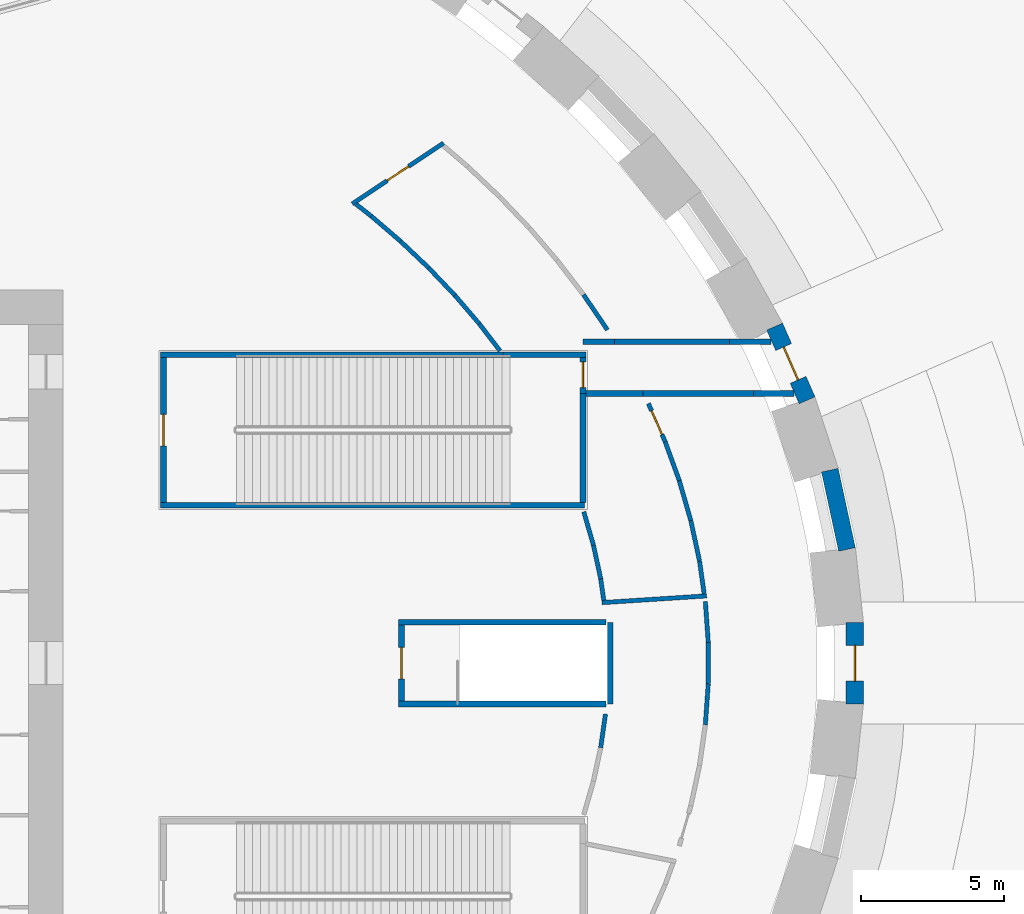
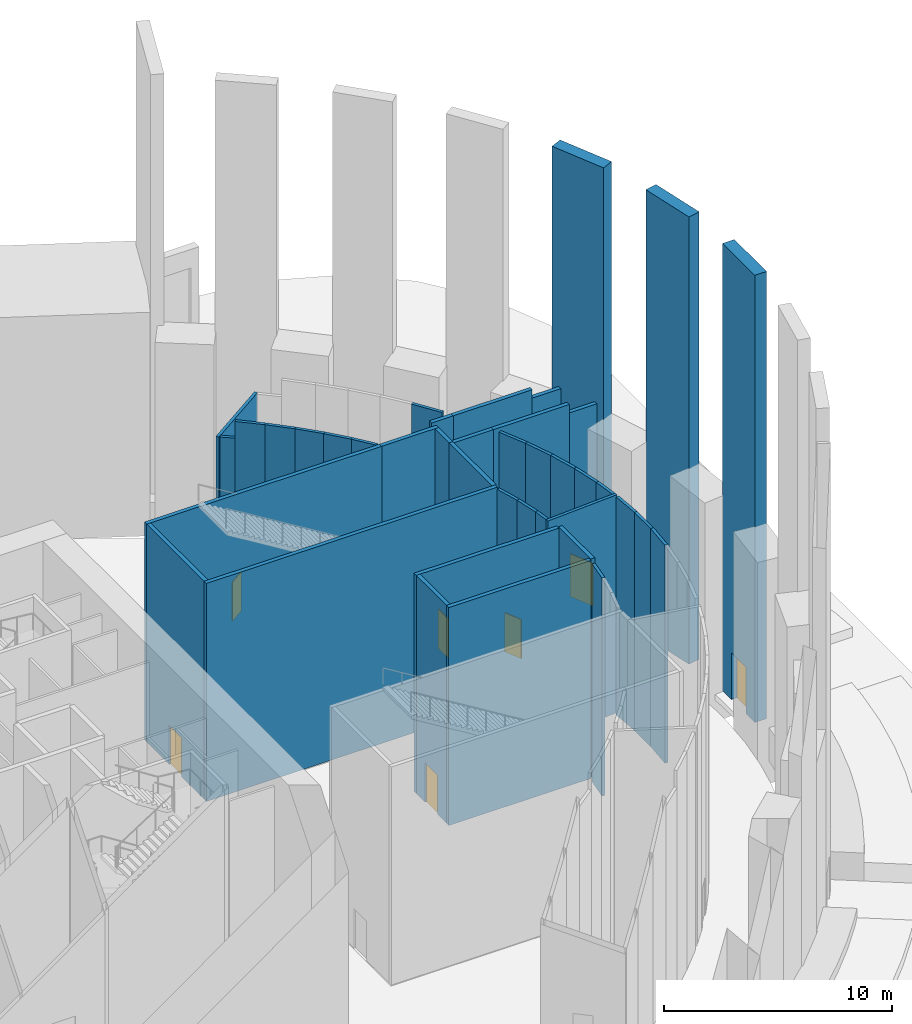
# One storey, part 14 of 25: 40 walls, 7 doors, 7 openings.
"""IFC4 building model written with IfcOpenShell, lengths in metres."""

import ifcopenshell
import ifcopenshell.guid

model = None  # the IFC model being written
_history = None  # IfcOwnerHistory: only IFC2X3 demands one
_inside = {}  # id of a spatial element -> (the spatial element, [elements in it])
_under = {}  # id of a project, library or spatial element -> (it, [spatial elements below it])
_declared = {}  # id of a project -> (the project, [libraries it declares])
_typed = {}  # id of a type object -> (the type object, [elements of that type])
_made_of = {}  # id of a material, layer set ... -> (it, [elements and type objects made of it])


def new_model(schema):
    """Start an empty IFC model of exactly this schema.

    Asked for "IFC4X3", IfcOpenShell would pick the latest addendum, in which some entities
    have other attributes; the version numbers below select the first issue.
    IFC2X3 requires an IfcOwnerHistory on every rooted entity: one is made here for all.
    """
    global model, _history
    if schema == "IFC4X3":
        model = ifcopenshell.file(schema_version=(4, 3, 0, 0))
    else:
        model = ifcopenshell.file(schema=schema)
    _inside.clear()
    _under.clear()
    _declared.clear()
    _typed.clear()
    _made_of.clear()
    _history = None
    if model.schema == "IFC2X3":
        org = make("IfcOrganization", Name="unknown")
        user = make(
            "IfcPersonAndOrganization",
            ThePerson=make("IfcPerson", FamilyName="unknown"),
            TheOrganization=org,
        )
        app = make(
            "IfcApplication",
            ApplicationDeveloper=org,
            Version="unknown",
            ApplicationFullName="unknown",
            ApplicationIdentifier="unknown",
        )
        _history = make(
            "IfcOwnerHistory",
            OwningUser=user,
            OwningApplication=app,
            ChangeAction="ADDED",
            CreationDate=0,
        )
    return model


def make(cls, **values):
    """One entity of the class cls with the attributes given. An attribute that is None is left unset."""
    return model.create_entity(
        cls, **{name: value for name, value in values.items() if value is not None}
    )


def rooted(cls, **values):
    """An entity with a GlobalId (a new one), such as an element, a storey or a relation."""
    return make(cls, GlobalId=ifcopenshell.guid.new(), OwnerHistory=_history, **values)


def si_unit(unit_type, name, prefix=None):
    """IfcSIUnit, for example si_unit("LENGTHUNIT", "METRE", prefix="MILLI")."""
    return make("IfcSIUnit", UnitType=unit_type, Prefix=prefix, Name=name)


def assignment(units):
    """IfcUnitAssignment: the units of a project."""
    return None if units is None else make("IfcUnitAssignment", Units=units)


def point(xyz):
    """IfcCartesianPoint."""
    return None if xyz is None else make("IfcCartesianPoint", Coordinates=xyz)


def direction(xyz):
    """IfcDirection."""
    return None if xyz is None else make("IfcDirection", DirectionRatios=xyz)


def frame(location, z_axis=None, x_axis=None):
    """IfcAxis2Placement3D, a coordinate frame: its origin and axes. An axis left out is left unset."""
    return make(
        "IfcAxis2Placement3D",
        Location=point(location),
        Axis=direction(z_axis),
        RefDirection=direction(x_axis),
    )


def frame_2d(location, x_axis=None):
    """IfcAxis2Placement2D, a coordinate frame in the plane: its origin and x axis."""
    return make(
        "IfcAxis2Placement2D", Location=point(location), RefDirection=direction(x_axis)
    )


def origin():
    """The frame at (0, 0, 0) with its axes left unset."""
    return frame((0.0, 0.0, 0.0))


def place(relative_to, where):
    """IfcLocalPlacement: puts the frame where relative to a parent placement (None: the world)."""
    return make(
        "IfcLocalPlacement", PlacementRelTo=relative_to, RelativePlacement=where
    )


def context(
    kind, dimensions, precision=None, world=None, true_north=None, identifier=None
):
    """IfcGeometricRepresentationContext, for example the 3D "Model" context."""
    return make(
        "IfcGeometricRepresentationContext",
        ContextIdentifier=identifier,
        ContextType=kind,
        CoordinateSpaceDimension=dimensions,
        Precision=precision,
        WorldCoordinateSystem=world,
        TrueNorth=true_north,
    )


def subcontext(parent, identifier, kind, view, scale=None):
    """IfcGeometricRepresentationSubContext, for example "Body" below "Model"."""
    return make(
        "IfcGeometricRepresentationSubContext",
        ContextIdentifier=identifier,
        ContextType=kind,
        ParentContext=parent,
        TargetScale=scale,
        TargetView=view,
    )


def project(units=None, contexts=None):
    """IfcProject with its units and contexts."""
    return rooted(
        "IfcProject",
        Name="project",
        RepresentationContexts=contexts,
        UnitsInContext=assignment(units),
    )


def spatial(cls, under=None, at=None, **own):
    """A site, building, storey or space (cls), placed at a placement, below another one or the project."""
    s = rooted(cls, ObjectPlacement=at, **own)
    if under is not None:
        _under.setdefault(under.id(), (under, []))[1].append(s)
    return s


def profile(cls, at=None, kind="AREA", **sizes):
    """A parametric profile (cls). Its sizes go by their IFC names, for example OverallWidth=200.0."""
    return make(cls, ProfileType=kind, Position=at, **sizes)


def rectangle(**sizes):
    """IfcRectangleProfileDef."""
    return profile("IfcRectangleProfileDef", **sizes)


def extrude(swept, where, along, depth):
    """IfcExtrudedAreaSolid: the profile swept, set in the frame where, extruded along a direction by depth."""
    return make(
        "IfcExtrudedAreaSolid",
        SweptArea=swept,
        Position=where,
        ExtrudedDirection=direction(along),
        Depth=depth,
    )


def shape(context_of_items, identifier, shape_type, items):
    """IfcShapeRepresentation: the items that make up one representation, for example the "Body"."""
    return make(
        "IfcShapeRepresentation",
        ContextOfItems=context_of_items,
        RepresentationIdentifier=identifier,
        RepresentationType=shape_type,
        Items=items,
    )


def source(mapping_origin, context_of_items, identifier, shape_type, items):
    """IfcRepresentationMap: a shape defined once, which mapped items show again and again."""
    return make(
        "IfcRepresentationMap",
        MappingOrigin=mapping_origin,
        MappedRepresentation=shape(context_of_items, identifier, shape_type, items),
    )


def transform(
    local_origin,
    x_axis=None,
    y_axis=None,
    z_axis=None,
    scale=None,
    scale2=None,
    scale3=None,
    uniform=True,
):
    """IfcCartesianTransformationOperator3D, or its non-uniform kind. x_axis, y_axis, z_axis: its Axis1, 2, 3."""
    if uniform:
        return make(
            "IfcCartesianTransformationOperator3D",
            Axis1=direction(x_axis),
            Axis2=direction(y_axis),
            LocalOrigin=point(local_origin),
            Scale=scale,
            Axis3=direction(z_axis),
        )
    return make(
        "IfcCartesianTransformationOperator3DnonUniform",
        Axis1=direction(x_axis),
        Axis2=direction(y_axis),
        LocalOrigin=point(local_origin),
        Scale=scale,
        Axis3=direction(z_axis),
        Scale2=scale2,
        Scale3=scale3,
    )


def mapped(mapping_source, mapping_target):
    """IfcMappedItem: shows the shape of a source again, moved by a transform."""
    return make(
        "IfcMappedItem", MappingSource=mapping_source, MappingTarget=mapping_target
    )


def material(Name=None, Category=None):
    """IfcMaterial."""
    return make("IfcMaterial", Name=Name, Category=Category)


def layer(
    of_material, thickness, ventilated=None, Name=None, Category=None, Priority=None
):
    """IfcMaterialLayer: one layer of a wall or slab, of a material (None: an air gap)."""
    return make(
        "IfcMaterialLayer",
        Material=of_material,
        LayerThickness=thickness,
        IsVentilated=ventilated,
        Name=Name,
        Category=Category,
        Priority=Priority,
    )


def layer_set(layers, Name=None):
    """IfcMaterialLayerSet."""
    return make("IfcMaterialLayerSet", MaterialLayers=layers, LayerSetName=Name)


def made_of(thing, what):
    """Note that an element or type object is made of a material, layer set ...; save() writes the relation."""
    if what is not None:
        _made_of.setdefault(what.id(), (what, []))[1].append(thing)
    return thing


def type_object(cls, material=None, **own):
    """A type object (cls), such as IfcWallType, which elements share."""
    return made_of(rooted(cls, **own), material)


def element(
    cls,
    number,
    at=None,
    inside=None,
    cuts=None,
    type_object=None,
    material=None,
    context=None,
    identifier="Body",
    shape_type=None,
    held_by="IfcProductDefinitionShape",
    body=None,
    shapes=None,
    **own,
):
    """One element of the class cls, such as IfcWall. Its Tag is "e" and its number.

    at: its placement. inside: the storey or other place that contains it. cuts: it is an
    opening in that element (IfcRelVoidsElement). A single representation is given by context,
    identifier, shape_type and body (its items); several are given by shapes. held_by: the class
    of the entity that holds the representations. save() writes the other relations.
    """
    e = rooted(cls, Tag="e%d" % number, ObjectPlacement=at, **own)
    if body is not None:
        shapes = [shape(context, identifier, shape_type, body)]
    if shapes is not None:
        e.Representation = make(held_by, Representations=shapes)
    if inside is not None:
        _inside.setdefault(inside.id(), (inside, []))[1].append(e)
    if cuts is not None:
        rooted(
            "IfcRelVoidsElement", RelatingBuildingElement=cuts, RelatedOpeningElement=e
        )
    if type_object is not None:
        _typed.setdefault(type_object.id(), (type_object, []))[1].append(e)
    return made_of(e, material)


def fill(opening, filler):
    """IfcRelFillsElement: the door or window that sits in an opening."""
    return rooted(
        "IfcRelFillsElement",
        RelatingOpeningElement=opening,
        RelatedBuildingElement=filler,
    )


def aggregate(whole, parts):
    """IfcRelAggregates: a whole, such as a stair, and the parts it consists of."""
    return rooted("IfcRelAggregates", RelatingObject=whole, RelatedObjects=parts)


def save(model, path):
    """Write the relations noted so far, then the file.

    IfcRelAggregates (storeys below a building ...), IfcRelContainedInSpatialStructure (elements
    in a storey), IfcRelDefinesByType, IfcRelAssociatesMaterial and IfcRelDeclares: one each for
    every whole, place, type object, material and project.
    """
    for whole, parts in _under.values():
        aggregate(whole, parts)
    for where, things in _inside.values():
        rooted(
            "IfcRelContainedInSpatialStructure",
            RelatedElements=things,
            RelatingStructure=where,
        )
    for kind, things in _typed.values():
        rooted("IfcRelDefinesByType", RelatedObjects=things, RelatingType=kind)
    for what, things in _made_of.values():
        rooted("IfcRelAssociatesMaterial", RelatedObjects=things, RelatingMaterial=what)
    for by, libraries in _declared.values():
        rooted("IfcRelDeclares", RelatingContext=by, RelatedDefinitions=libraries)
    model.write(path)


model = new_model("IFC4")

# Units and contexts
model_context = context("Model", 3, precision=1e-05, world=origin(), true_north=direction((0.0, 1.0)))
body_context = subcontext(model_context, "Body", "Model", "MODEL_VIEW")
ifc_project = project(units=[si_unit("LENGTHUNIT", "METRE"), si_unit("AREAUNIT", "SQUARE_METRE"), si_unit("VOLUMEUNIT", "CUBIC_METRE"), si_unit("PLANEANGLEUNIT", "RADIAN"), si_unit("MASSUNIT", "GRAM", prefix="KILO")], contexts=[model_context])

# Site, building, storey
site_placement = place(None, origin())
site = spatial("IfcSite", under=ifc_project, at=site_placement, CompositionType="ELEMENT")
building_placement = place(site_placement, origin())
building = spatial("IfcBuilding", under=site, at=building_placement, Name="Embergate Tower", CompositionType="ELEMENT")
storey_placement = place(building_placement, origin())
storey = spatial("IfcBuildingStorey", under=building, at=storey_placement, Name="L00", CompositionType="ELEMENT", Elevation=0.0)

# Wall, opening, door
ifc_material_1 = material(Name="Brick masonry, solid, with terracotta coping", Category="masonry")
ifc_layer_1 = layer(ifc_material_1, 0.60009765625)
ifc_layer_set_1 = layer_set([ifc_layer_1], Name="Brick masonry, solid, with terracotta coping")
wall_type_1 = type_object("IfcWallType", Name="Masonry base wall", PredefinedType="SOLIDWALL", material=ifc_layer_set_1)
shared_shape_1 = source(origin(), body_context, "Body", "SweptSolid", [
    extrude(rectangle(XDim=2.8076171875, YDim=0.60009765625, at=frame_2d((1.40380859375, 0.0))), origin(), (0.0, 0.0, 1.0), 24.0),
])
wall_1_placement = place(storey_placement, frame((38.7998046875, 11.730712890625, 0.0), z_axis=(0.0, 0.0, 1.0), x_axis=(0.402852255888, -0.915265021688, 0.0)))
wall_1 = element("IfcWall", 1, at=wall_1_placement, inside=storey, type_object=wall_type_1, Name="Masonry base wall 2", PredefinedType="SOLIDWALL", context=body_context, shape_type="MappedRepresentation", body=[
    mapped(shared_shape_1, transform((0.0, 0.0, 0.0))),
])
shared_shape_2 = source(origin(), body_context, "Body", "SweptSolid", [
    extrude(rectangle(XDim=1.25, YDim=2.300048828125, at=frame_2d((0.625, 1.14990234375))), frame((0.0, 0.31005859375, 0.0), z_axis=(0.0, -1.0, 0.0), x_axis=(1.0, 0.0, 0.0)), (0.0, 0.0, 1.0), 0.6201171875),
])
opening_1_placement = place(wall_1_placement, frame((0.77880859375, 0.0, 0.0)))
opening_1 = element("IfcOpeningElement", 2, at=opening_1_placement, cuts=wall_1, Name="Opening XD", PredefinedType="OPENING", context=body_context, shape_type="MappedRepresentation", body=[
    mapped(shared_shape_2, transform((0.0, 0.0, 0.0))),
])
ifc_material_2 = material(Name="Aluminium and toughened glass", Category="aluminium")
door_type_1 = type_object("IfcDoorType", Name="Exit door leaf", OperationType="SINGLE_SWING_LEFT", PredefinedType="DOOR", material=ifc_material_2)
shared_shape_3 = source(origin(), body_context, "Body", "SweptSolid", [
    extrude(rectangle(XDim=1.25, YDim=2.300048828125, at=frame_2d((0.625, 1.14990234375))), frame((0.0, 0.02490234375, 0.0), z_axis=(0.0, -1.0, 0.0), x_axis=(1.0, 0.0, 0.0)), (0.0, 0.0, 1.0), 0.050048828125),
])
door_1_placement = place(opening_1_placement, origin())
door_1 = element("IfcDoor", 3, at=door_1_placement, inside=storey, type_object=door_type_1, Name="Exit door exit 2.1", OperationType="SINGLE_SWING_LEFT", OverallHeight=2.300048828125, OverallWidth=1.25, PredefinedType="DOOR", context=body_context, shape_type="MappedRepresentation", body=[
    mapped(shared_shape_3, transform((0.0, 0.0, 0.0))),
])
fill(opening_1, door_1)

# Wall
shared_shape_4 = source(origin(), body_context, "Body", "SweptSolid", [
    extrude(rectangle(XDim=2.827392578125, YDim=0.60009765625, at=frame_2d((1.41357421875, 0.0))), origin(), (0.0, 0.0, 1.0), 24.0),
])
wall_2_placement = place(storey_placement, frame((40.724365234375, 6.726806640625, 0.0), z_axis=(0.0, 0.0, 1.0), x_axis=(0.211120984775, -0.977459937689, 0.0)))
element("IfcWall", 4, at=wall_2_placement, inside=storey, type_object=wall_type_1, Name="Masonry base wall 1", PredefinedType="SOLIDWALL", context=body_context, shape_type="MappedRepresentation", body=[
    mapped(shared_shape_4, transform((0.0, 0.0, 0.0))),
])

# Wall, opening, door
shared_shape_5 = source(origin(), body_context, "Body", "SweptSolid", [
    extrude(rectangle(XDim=2.8349609375, YDim=0.60009765625, at=frame_2d((1.41748046875, 0.0))), origin(), (0.0, 0.0, 1.0), 24.0),
])
wall_3_placement = place(storey_placement, frame((41.594482421875, 1.41748046875, 0.0), z_axis=(0.0, 0.0, 1.0), x_axis=(0.0, -1.0, 0.0)))
wall_3 = element("IfcWall", 5, at=wall_3_placement, inside=storey, type_object=wall_type_1, Name="Masonry base wall 44", PredefinedType="SOLIDWALL", context=body_context, shape_type="MappedRepresentation", body=[
    mapped(shared_shape_5, transform((0.0, 0.0, 0.0))),
])
shared_shape_6 = source(origin(), body_context, "Body", "SweptSolid", [
    extrude(rectangle(XDim=1.25, YDim=2.5, at=frame_2d((0.625, 1.25))), frame((0.0, 0.31005859375, 0.0), z_axis=(0.0, -1.0, 0.0), x_axis=(1.0, 0.0, 0.0)), (0.0, 0.0, 1.0), 0.6201171875),
])
opening_2_placement = place(wall_3_placement, frame((0.79248046875, 0.0, 0.0)))
opening_2 = element("IfcOpeningElement", 6, at=opening_2_placement, cuts=wall_3, Name="Opening ED", PredefinedType="OPENING", context=body_context, shape_type="MappedRepresentation", body=[
    mapped(shared_shape_6, transform((0.0, 0.0, 0.0))),
])
door_type_2 = type_object("IfcDoorType", Name="Entrance door leaf", OperationType="SINGLE_SWING_LEFT", PredefinedType="DOOR", material=ifc_material_2)
shared_shape_7 = source(origin(), body_context, "Body", "SweptSolid", [
    extrude(rectangle(XDim=1.25, YDim=2.5, at=frame_2d((0.625, 1.25))), frame((0.0, 0.02490234375, 0.0), z_axis=(0.0, -1.0, 0.0), x_axis=(1.0, 0.0, 0.0)), (0.0, 0.0, 1.0), 0.050048828125),
])
door_2_placement = place(opening_2_placement, origin())
door_2 = element("IfcDoor", 7, at=door_2_placement, inside=storey, type_object=door_type_2, Name="Entrance door 44.1", OperationType="SINGLE_SWING_LEFT", OverallHeight=2.5, OverallWidth=1.25, PredefinedType="DOOR", context=body_context, shape_type="MappedRepresentation", body=[
    mapped(shared_shape_7, transform((0.0, 0.0, 0.0))),
])
fill(opening_2, door_2)

# Walls
ifc_material_3 = material(Name="Blockwork, plastered", Category="masonry")
ifc_layer_2 = layer(ifc_material_3, 0.199951171875)
ifc_layer_set_2 = layer_set([ifc_layer_2], Name="Blockwork, plastered")
wall_type_2 = type_object("IfcWallType", Name="Fire partition wall 200 block", PredefinedType="PARTITIONING", material=ifc_layer_set_2)
shared_shape_8 = source(origin(), body_context, "Body", "SweptSolid", [
    extrude(rectangle(XDim=1.408203125, YDim=0.199951171875, at=frame_2d((0.7041015625, 0.0))), origin(), (0.0, 0.0, 1.0), 11.25),
])
wall_4_placement = place(storey_placement, frame((39.47509765625, 9.39990234375, 0.0), z_axis=(0.0, 0.0, 1.0), x_axis=(-1.0, 0.0, 0.0)))
element("IfcWall", 8, at=wall_4_placement, inside=storey, type_object=wall_type_2, Name="Partition 158", PredefinedType="PARTITIONING", context=body_context, shape_type="MappedRepresentation", body=[
    mapped(shared_shape_8, transform((0.0, 0.0, 0.0))),
])
shared_shape_9 = source(origin(), body_context, "Body", "SweptSolid", [
    extrude(rectangle(XDim=1.449951171875, YDim=0.199951171875, at=frame_2d((0.72509765625, 0.0))), origin(), (0.0, 0.0, 1.0), 11.25),
])
wall_5_placement = place(storey_placement, frame((37.22607421875, 11.199951171875, 0.0), z_axis=(0.0, 0.0, 1.0), x_axis=(1.0, 0.0, 0.0)))
element("IfcWall", 9, at=wall_5_placement, inside=storey, type_object=wall_type_2, Name="Partition 156", PredefinedType="PARTITIONING", context=body_context, shape_type="MappedRepresentation", body=[
    mapped(shared_shape_9, transform((0.0, 0.0, 0.0))),
])
shared_shape_10 = source(origin(), body_context, "Body", "SweptSolid", [
    extrude(rectangle(XDim=3.847900390625, YDim=0.199951171875, at=frame_2d((1.923828125, 0.0))), origin(), (0.0, 0.0, 1.0), 11.699951171875),
])
wall_6_placement = place(storey_placement, frame((38.06689453125, 9.39990234375, 0.0), z_axis=(0.0, 0.0, 1.0), x_axis=(-1.0, 0.0, 0.0)))
element("IfcWall", 10, at=wall_6_placement, inside=storey, type_object=wall_type_2, Name="Partition 157", PredefinedType="PARTITIONING", context=body_context, shape_type="MappedRepresentation", body=[
    mapped(shared_shape_10, transform((0.0, 0.0, 0.0))),
])
shared_shape_11 = source(origin(), body_context, "Body", "SweptSolid", [
    extrude(rectangle(XDim=4.005126953125, YDim=0.199951171875, at=frame_2d((2.00244140625, 0.0))), origin(), (0.0, 0.0, 1.0), 11.699951171875),
])
wall_7_placement = place(storey_placement, frame((33.220947265625, 11.199951171875, 0.0), z_axis=(0.0, 0.0, 1.0), x_axis=(1.0, 0.0, 0.0)))
element("IfcWall", 11, at=wall_7_placement, inside=storey, type_object=wall_type_2, Name="Partition 139", PredefinedType="PARTITIONING", context=body_context, shape_type="MappedRepresentation", body=[
    mapped(shared_shape_11, transform((0.0, 0.0, 0.0))),
])

# Wall, opening, door
ifc_material_4 = material(Name="Plasterboard on steel stud", Category="steel")
ifc_layer_3 = layer(ifc_material_4, 0.14990234375)
ifc_layer_set_3 = layer_set([ifc_layer_3], Name="Plasterboard on steel stud")
wall_type_3 = type_object("IfcWallType", Name="Partition wall 150 board", PredefinedType="PARTITIONING", material=ifc_layer_set_3)
shared_shape_12 = source(origin(), body_context, "Body", "SweptSolid", [
    extrude(rectangle(XDim=1.458984375, YDim=0.14990234375, at=frame_2d((0.7294921875, 0.0))), origin(), (0.0, 0.0, 1.0), 11.699951171875),
])
wall_8_placement = place(storey_placement, frame((34.40087890625, 9.049072265625, 0.0), z_axis=(0.0, 0.0, 1.0), x_axis=(0.401740274044, -0.915753652579, 0.0)))
wall_8 = element("IfcWall", 12, at=wall_8_placement, inside=storey, type_object=wall_type_3, Name="Partition 143", PredefinedType="PARTITIONING", context=body_context, shape_type="MappedRepresentation", body=[
    mapped(shared_shape_12, transform((0.0, 0.0, 0.0))),
])
shared_shape_13 = source(origin(), body_context, "Body", "SweptSolid", [
    extrude(rectangle(XDim=0.89990234375, YDim=2.10009765625, at=frame_2d((0.449951171875, 1.050048828125))), frame((0.0, 0.0849609375, 0.0), z_axis=(0.0, -1.0, 0.0), x_axis=(1.0, 0.0, 0.0)), (0.0, 0.0, 1.0), 0.169921875),
])
opening_3_placement = place(wall_8_placement, frame((0.279052734375, 0.0, 0.0)))
opening_3 = element("IfcOpeningElement", 13, at=opening_3_placement, cuts=wall_8, Name="Opening DS-007", PredefinedType="OPENING", context=body_context, shape_type="MappedRepresentation", body=[
    mapped(shared_shape_13, transform((0.0, 0.0, 0.0))),
])
ifc_material_5 = material(Name="Timber door leaf, steel frame", Category="steel")
door_type_3 = type_object("IfcDoorType", Name="Single door 900x2100", OperationType="SINGLE_SWING_LEFT", PredefinedType="DOOR", material=ifc_material_5)
shared_shape_14 = source(origin(), body_context, "Body", "SweptSolid", [
    extrude(rectangle(XDim=0.89990234375, YDim=2.10009765625, at=frame_2d((0.449951171875, 1.050048828125))), frame((0.0, 0.02490234375, 0.0), z_axis=(0.0, -1.0, 0.0), x_axis=(1.0, 0.0, 0.0)), (0.0, 0.0, 1.0), 0.050048828125),
])
door_3_placement = place(opening_3_placement, origin())
door_3 = element("IfcDoor", 14, at=door_3_placement, inside=storey, type_object=door_type_3, Name="Door to Pharmacy kiosk", OperationType="SINGLE_SWING_LEFT", OverallHeight=2.10009765625, OverallWidth=0.89990234375, PredefinedType="DOOR", context=body_context, shape_type="MappedRepresentation", body=[
    mapped(shared_shape_14, transform((0.0, 0.0, 0.0))),
])
fill(opening_3, door_3)

# Walls
shared_shape_15 = source(origin(), body_context, "Body", "SweptSolid", [
    extrude(rectangle(XDim=1.9990234375, YDim=0.199951171875, at=frame_2d((0.99951171875, 0.0))), origin(), (0.0, 0.0, 1.0), 11.699951171875),
])
wall_9_placement = place(storey_placement, frame((34.218994140625, 9.39990234375, 0.0), z_axis=(0.0, 0.0, 1.0), x_axis=(-1.0, 0.0, 0.0)))
element("IfcWall", 15, at=wall_9_placement, inside=storey, type_object=wall_type_2, Name="Partition 141", PredefinedType="PARTITIONING", context=body_context, shape_type="MappedRepresentation", body=[
    mapped(shared_shape_15, transform((0.0, 0.0, 0.0))),
])
shared_shape_16 = source(origin(), body_context, "Body", "SweptSolid", [
    extrude(rectangle(XDim=1.100830078125, YDim=0.199951171875, at=frame_2d((0.55029296875, 0.0))), origin(), (0.0, 0.0, 1.0), 11.699951171875),
])
wall_10_placement = place(storey_placement, frame((32.1201171875, 11.199951171875, 0.0), z_axis=(0.0, 0.0, 1.0), x_axis=(1.0, 0.0, 0.0)))
element("IfcWall", 16, at=wall_10_placement, inside=storey, type_object=wall_type_2, Name="Partition 126", PredefinedType="PARTITIONING", context=body_context, shape_type="MappedRepresentation", body=[
    mapped(shared_shape_16, transform((0.0, 0.0, 0.0))),
])
shared_shape_17 = source(origin(), body_context, "Body", "SweptSolid", [
    extrude(rectangle(XDim=1.48291015625, YDim=0.14990234375, at=frame_2d((0.741455078125, 0.0))), origin(), (0.0, 0.0, 1.0), 11.699951171875),
])
wall_11_placement = place(storey_placement, frame((32.138916015625, 12.842041015625, 0.0), z_axis=(0.0, 0.0, 1.0), x_axis=(0.56242710462, -0.826846873362, 0.0)))
element("IfcWall", 17, at=wall_11_placement, inside=storey, type_object=wall_type_3, Name="Partition 128", PredefinedType="PARTITIONING", context=body_context, shape_type="MappedRepresentation", body=[
    mapped(shared_shape_17, transform((0.0, 0.0, 0.0))),
])
ifc_material_6 = material(Name="Concrete C40", Category="concrete")
ifc_layer_4 = layer(ifc_material_6, 0.199951171875)
ifc_layer_set_4 = layer_set([ifc_layer_4], Name="Concrete C40")
wall_type_4 = type_object("IfcWallType", Name="Stair enclosure wall RC 200", PredefinedType="STANDARD", material=ifc_layer_set_4)
shared_shape_18 = source(origin(), body_context, "Body", "SweptSolid", [
    extrude(rectangle(XDim=2.888916015625, YDim=0.199951171875, at=frame_2d((1.4443359375, 0.0))), origin(), (0.0, 0.0, 1.0), 11.699951171875),
])
wall_12_placement = place(storey_placement, frame((32.219970703125, 10.75, 0.0), z_axis=(0.0, 0.0, 1.0), x_axis=(-1.0, 0.0, 0.0)))
element("IfcWall", 18, at=wall_12_placement, inside=storey, type_object=wall_type_4, Name="Stair wall 125", PredefinedType="STANDARD", context=body_context, shape_type="MappedRepresentation", body=[
    mapped(shared_shape_18, transform((0.0, 0.0, 0.0))),
])

# Wall, opening, door
shared_shape_19 = source(origin(), body_context, "Body", "SweptSolid", [
    extrude(rectangle(XDim=1.25, YDim=0.199951171875, at=frame_2d((0.625, 0.0))), origin(), (0.0, 0.0, 1.0), 11.699951171875),
])
wall_13_placement = place(storey_placement, frame((32.1201171875, 9.39990234375, 0.0), z_axis=(0.0, 0.0, 1.0), x_axis=(0.0, 1.0, 0.0)))
wall_13 = element("IfcWall", 19, at=wall_13_placement, inside=storey, type_object=wall_type_4, Name="Stair wall 124", PredefinedType="STANDARD", context=body_context, shape_type="MappedRepresentation", body=[
    mapped(shared_shape_19, transform((0.0, 0.0, 0.0))),
])
shared_shape_20 = source(origin(), body_context, "Body", "SweptSolid", [
    extrude(rectangle(XDim=0.89990234375, YDim=2.10009765625, at=frame_2d((0.449951171875, 1.050048828125))), frame((0.0, 0.10986328125, 0.0), z_axis=(0.0, -1.0, 0.0), x_axis=(1.0, 0.0, 0.0)), (0.0, 0.0, 1.0), 0.219970703125),
])
opening_4_placement = place(wall_13_placement, frame((0.199951171875, 0.0, 0.0)))
opening_4 = element("IfcOpeningElement", 20, at=opening_4_placement, cuts=wall_13, Name="Opening DS-001", PredefinedType="OPENING", context=body_context, shape_type="MappedRepresentation", body=[
    mapped(shared_shape_20, transform((0.0, 0.0, 0.0))),
])
door_4_placement = place(opening_4_placement, origin())
door_4 = element("IfcDoor", 21, at=door_4_placement, inside=storey, type_object=door_type_3, Name="Door to Stair exit passage", OperationType="SINGLE_SWING_LEFT", OverallHeight=2.10009765625, OverallWidth=0.89990234375, PredefinedType="DOOR", context=body_context, shape_type="MappedRepresentation", body=[
    mapped(shared_shape_14, transform((0.0, 0.0, 0.0))),
])
fill(opening_4, door_4)

# Walls
shared_shape_21 = source(origin(), body_context, "Body", "SweptSolid", [
    extrude(rectangle(XDim=11.93115234375, YDim=0.199951171875, at=frame_2d((5.965576171875, 0.0))), origin(), (0.0, 0.0, 1.0), 11.699951171875),
])
wall_14_placement = place(storey_placement, frame((17.39990234375, 10.75, 0.0), z_axis=(0.0, 0.0, 1.0), x_axis=(1.0, 0.0, 0.0)))
element("IfcWall", 22, at=wall_14_placement, inside=storey, type_object=wall_type_4, Name="Stair wall 084", PredefinedType="STANDARD", context=body_context, shape_type="MappedRepresentation", body=[
    mapped(shared_shape_21, transform((0.0, 0.0, 0.0))),
])
shared_shape_22 = source(origin(), body_context, "Body", "SweptSolid", [
    extrude(rectangle(XDim=1.192626953125, YDim=0.14990234375, at=frame_2d((0.59619140625, 0.0))), origin(), (0.0, 0.0, 1.0), 11.699951171875),
])
wall_15_placement = place(storey_placement, frame((29.22998046875, 10.885986328125, 0.0), z_axis=(0.0, 0.0, 1.0), x_axis=(-0.608839758708, 0.793293229655, 0.0)))
element("IfcWall", 23, at=wall_15_placement, inside=storey, type_object=wall_type_3, Name="Partition 112", PredefinedType="PARTITIONING", context=body_context, shape_type="MappedRepresentation", body=[
    mapped(shared_shape_22, transform((0.0, 0.0, 0.0))),
])
shared_shape_23 = source(origin(), body_context, "Body", "SweptSolid", [
    extrude(rectangle(XDim=1.294921875, YDim=0.14990234375, at=frame_2d((0.6474609375, 0.0))), origin(), (0.0, 0.0, 1.0), 11.699951171875),
])
wall_16_placement = place(storey_placement, frame((28.50390625, 11.83203125, 0.0), z_axis=(0.0, 0.0, 1.0), x_axis=(-0.651024243625, 0.759056937398, 0.0)))
element("IfcWall", 24, at=wall_16_placement, inside=storey, type_object=wall_type_3, Name="Partition 109", PredefinedType="PARTITIONING", context=body_context, shape_type="MappedRepresentation", body=[
    mapped(shared_shape_23, transform((0.0, 0.0, 0.0))),
])
shared_shape_24 = source(origin(), body_context, "Body", "SweptSolid", [
    extrude(rectangle(XDim=1.35888671875, YDim=0.14990234375, at=frame_2d((0.679443359375, 0.0))), origin(), (0.0, 0.0, 1.0), 11.699951171875),
])
wall_17_placement = place(storey_placement, frame((26.7451171875, 13.77490234375, 0.0), z_axis=(0.0, 0.0, 1.0), x_axis=(-0.726330235595, 0.687345901901, 0.0)))
element("IfcWall", 25, at=wall_17_placement, inside=storey, type_object=wall_type_3, Name="Partition 100", PredefinedType="PARTITIONING", context=body_context, shape_type="MappedRepresentation", body=[
    mapped(shared_shape_24, transform((0.0, 0.0, 0.0))),
])
shared_shape_25 = source(origin(), body_context, "Body", "SweptSolid", [
    extrude(rectangle(XDim=1.33837890625, YDim=0.14990234375, at=frame_2d((0.669189453125, 0.0))), origin(), (0.0, 0.0, 1.0), 11.699951171875),
])
wall_18_placement = place(storey_placement, frame((25.758056640625, 14.708984375, 0.0), z_axis=(0.0, 0.0, 1.0), x_axis=(-0.758535009676, 0.651632288255, 0.0)))
element("IfcWall", 26, at=wall_18_placement, inside=storey, type_object=wall_type_3, Name="Partition 096", PredefinedType="PARTITIONING", context=body_context, shape_type="MappedRepresentation", body=[
    mapped(shared_shape_25, transform((0.0, 0.0, 0.0))),
])

# Wall, opening, door
shared_shape_26 = source(origin(), body_context, "Body", "SweptSolid", [
    extrude(rectangle(XDim=5.0498046875, YDim=0.199951171875, at=frame_2d((2.52490234375, 0.0))), origin(), (0.0, 0.0, 1.0), 11.699951171875),
])
wall_19_placement = place(storey_placement, frame((17.5, 5.60009765625, 0.0), z_axis=(0.0, 0.0, 1.0), x_axis=(0.0, 1.0, 0.0)))
wall_19 = element("IfcWall", 27, at=wall_19_placement, inside=storey, type_object=wall_type_4, Name="Stair wall 083", PredefinedType="STANDARD", context=body_context, shape_type="MappedRepresentation", body=[
    mapped(shared_shape_26, transform((0.0, 0.0, 0.0))),
])
shared_shape_27 = source(origin(), body_context, "Body", "SweptSolid", [
    extrude(rectangle(XDim=1.10009765625, YDim=2.10009765625, at=frame_2d((0.550048828125, 1.050048828125))), frame((0.0, 0.10986328125, 0.0), z_axis=(0.0, -1.0, 0.0), x_axis=(1.0, 0.0, 0.0)), (0.0, 0.0, 1.0), 0.219970703125),
])
opening_5_placement = place(wall_19_placement, frame((1.97509765625, 0.0, 0.0)))
opening_5 = element("IfcOpeningElement", 28, at=opening_5_placement, cuts=wall_19, Name="Opening DS-015", PredefinedType="OPENING", context=body_context, shape_type="MappedRepresentation", body=[
    mapped(shared_shape_27, transform((0.0, 0.0, 0.0))),
])
ifc_material_7 = material(Name="Steel fire door leaf", Category="steel")
door_type_4 = type_object("IfcDoorType", Name="Fire door class B 1100x2100", OperationType="SINGLE_SWING_LEFT", PredefinedType="DOOR", material=ifc_material_7)
shared_shape_28 = source(origin(), body_context, "Body", "SweptSolid", [
    extrude(rectangle(XDim=1.10009765625, YDim=2.10009765625, at=frame_2d((0.550048828125, 1.050048828125))), frame((0.0, 0.02490234375, 0.0), z_axis=(0.0, -1.0, 0.0), x_axis=(1.0, 0.0, 0.0)), (0.0, 0.0, 1.0), 0.050048828125),
])
door_5_placement = place(opening_5_placement, origin())
door_5 = element("IfcDoor", 29, at=door_5_placement, inside=storey, type_object=door_type_4, Name="Door to Exit stair enclosure", OperationType="SINGLE_SWING_LEFT", OverallHeight=2.10009765625, OverallWidth=1.10009765625, PredefinedType="DOOR", context=body_context, shape_type="MappedRepresentation", body=[
    mapped(shared_shape_28, transform((0.0, 0.0, 0.0))),
])
fill(opening_5, door_5)

# Wall
shared_shape_29 = source(origin(), body_context, "Body", "SweptSolid", [
    extrude(rectangle(XDim=14.76806640625, YDim=0.199951171875, at=frame_2d((7.384033203125, 0.0))), origin(), (0.0, 0.0, 1.0), 11.699951171875),
])
wall_20_placement = place(storey_placement, frame((32.16796875, 5.5, 0.0), z_axis=(0.0, 0.0, 1.0), x_axis=(-1.0, 0.0, 0.0)))
element("IfcWall", 30, at=wall_20_placement, inside=storey, type_object=wall_type_4, Name="Stair wall 119", PredefinedType="STANDARD", context=body_context, shape_type="MappedRepresentation", body=[
    mapped(shared_shape_29, transform((0.0, 0.0, 0.0))),
])

# Wall, opening, door
shared_shape_30 = source(origin(), body_context, "Body", "SweptSolid", [
    extrude(rectangle(XDim=3.82177734375, YDim=0.14990234375, at=frame_2d((1.910888671875, 0.0))), origin(), (0.0, 0.0, 1.0), 10.800048828125),
])
wall_21_placement = place(storey_placement, frame((24.080078125, 16.008056640625, 0.0), z_axis=(0.0, 0.0, 1.0), x_axis=(0.832570809431, 0.553918628756, 0.0)))
wall_21 = element("IfcWall", 31, at=wall_21_placement, inside=storey, type_object=wall_type_3, Name="Partition 090", PredefinedType="PARTITIONING", context=body_context, shape_type="MappedRepresentation", body=[
    mapped(shared_shape_30, transform((0.0, 0.0, 0.0))),
])
opening_6_placement = place(wall_21_placement, frame((1.4609375, 0.0, 0.0)))
opening_6 = element("IfcOpeningElement", 32, at=opening_6_placement, cuts=wall_21, Name="Opening DS-008", PredefinedType="OPENING", context=body_context, shape_type="MappedRepresentation", body=[
    mapped(shared_shape_13, transform((0.0, 0.0, 0.0))),
])
door_6_placement = place(opening_6_placement, origin())
door_6 = element("IfcDoor", 33, at=door_6_placement, inside=storey, type_object=door_type_3, Name="Door to Florist kiosk", OperationType="SINGLE_SWING_LEFT", OverallHeight=2.10009765625, OverallWidth=0.89990234375, PredefinedType="DOOR", context=body_context, shape_type="MappedRepresentation", body=[
    mapped(shared_shape_14, transform((0.0, 0.0, 0.0))),
])
fill(opening_6, door_6)

# Wall
shared_shape_31 = source(origin(), body_context, "Body", "SweptSolid", [
    extrude(rectangle(XDim=0.677490234375, YDim=0.14990234375, at=frame_2d((0.3388671875, 0.0))), origin(), (0.0, 0.0, 1.0), 10.800048828125),
])
wall_22_placement = place(storey_placement, frame((24.742919921875, 15.5810546875, 0.0), z_axis=(0.0, 0.0, 1.0), x_axis=(-0.788128168179, 0.61551116198, 0.0)))
element("IfcWall", 34, at=wall_22_placement, inside=storey, type_object=wall_type_3, Name="Partition 093", PredefinedType="PARTITIONING", context=body_context, shape_type="MappedRepresentation", body=[
    mapped(shared_shape_31, transform((0.0, 0.0, 0.0))),
])

# Wall, opening, door
shared_shape_32 = source(origin(), body_context, "Body", "SweptSolid", [
    extrude(rectangle(XDim=2.64990234375, YDim=0.199951171875, at=frame_2d((1.324951171875, 0.0))), origin(), (0.0, 0.0, 1.0), 11.699951171875),
])
wall_23_placement = place(storey_placement, frame((25.800048828125, -1.324951171875, 0.0), z_axis=(0.0, 0.0, 1.0), x_axis=(0.0, 1.0, 0.0)))
wall_23 = element("IfcWall", 35, at=wall_23_placement, inside=storey, type_object=wall_type_4, Name="Stair wall 097", PredefinedType="STANDARD", context=body_context, shape_type="MappedRepresentation", body=[
    mapped(shared_shape_32, transform((0.0, 0.0, 0.0))),
])
opening_7_placement = place(wall_23_placement, frame((0.77490234375, 0.0, 0.0)))
opening_7 = element("IfcOpeningElement", 36, at=opening_7_placement, cuts=wall_23, Name="Opening DS-019", PredefinedType="OPENING", context=body_context, shape_type="MappedRepresentation", body=[
    mapped(shared_shape_27, transform((0.0, 0.0, 0.0))),
])
door_7_placement = place(opening_7_placement, origin())
door_7 = element("IfcDoor", 37, at=door_7_placement, inside=storey, type_object=door_type_4, Name="Door to Exit stair enclosure", OperationType="SINGLE_SWING_LEFT", OverallHeight=2.10009765625, OverallWidth=1.10009765625, PredefinedType="DOOR", context=body_context, shape_type="MappedRepresentation", body=[
    mapped(shared_shape_28, transform((0.0, 0.0, 0.0))),
])
fill(opening_7, door_7)

# Walls
shared_shape_33 = source(origin(), body_context, "Body", "SweptSolid", [
    extrude(rectangle(XDim=7.22998046875, YDim=0.199951171875, at=frame_2d((3.614990234375, 0.0))), origin(), (0.0, 0.0, 1.0), 11.699951171875),
])
for number, where, z_axis, x_axis, name in (
    (38, (25.699951171875, 1.425048828125, 0.0), (0.0, 0.0, 1.0), (1.0, 0.0, 0.0), "Stair wall 098"),
    (39, (32.929931640625, -1.425048828125, 0.0), (0.0, 0.0, 1.0), (-1.0, 0.0, 0.0), "Stair wall 136"),
):
    element("IfcWall", number, at=place(storey_placement, frame(where, z_axis=z_axis, x_axis=x_axis)), inside=storey, type_object=wall_type_4, Name=name, PredefinedType="STANDARD", context=body_context, shape_type="MappedRepresentation", body=[
        mapped(shared_shape_33, transform((0.0, 0.0, 0.0))),
    ])
shared_shape_34 = source(origin(), body_context, "Body", "SweptSolid", [
    extrude(rectangle(XDim=1.32666015625, YDim=0.14990234375, at=frame_2d((0.663330078125, 0.0))), origin(), (0.0, 0.0, 1.0), 11.699951171875),
])
wall_24_placement = place(storey_placement, frame((27.660888671875, 12.81494140625, 0.0), z_axis=(0.0, 0.0, 1.0), x_axis=(-0.690256881169, 0.723564397962, 0.0)))
element("IfcWall", 40, at=wall_24_placement, inside=storey, type_object=wall_type_3, Name="Partition 105", PredefinedType="PARTITIONING", context=body_context, shape_type="MappedRepresentation", body=[
    mapped(shared_shape_34, transform((0.0, 0.0, 0.0))),
])
shared_shape_35 = source(origin(), body_context, "Body", "SweptSolid", [
    extrude(rectangle(XDim=3.7998046875, YDim=0.199951171875, at=frame_2d((1.89990234375, 0.0))), origin(), (0.0, 0.0, 1.0), 11.699951171875),
])
wall_25_placement = place(storey_placement, frame((32.1201171875, 5.60009765625, 0.0), z_axis=(0.0, 0.0, 1.0), x_axis=(0.0, 1.0, 0.0)))
element("IfcWall", 41, at=wall_25_placement, inside=storey, type_object=wall_type_4, Name="Stair wall 123", PredefinedType="STANDARD", context=body_context, shape_type="MappedRepresentation", body=[
    mapped(shared_shape_35, transform((0.0, 0.0, 0.0))),
])
shared_shape_36 = source(origin(), body_context, "Body", "SweptSolid", [
    extrude(rectangle(XDim=1.214599609375, YDim=0.14990234375, at=frame_2d((0.607421875, 0.0))), origin(), (0.0, 0.0, 1.0), 11.699951171875),
])
wall_26_placement = place(storey_placement, frame((32.486083984375, 4.111083984375, 0.0), z_axis=(0.0, 0.0, 1.0), x_axis=(-0.277560264253, 0.960708228188, 0.0)))
element("IfcWall", 42, at=wall_26_placement, inside=storey, type_object=wall_type_3, Name="Partition 131", PredefinedType="PARTITIONING", context=body_context, shape_type="MappedRepresentation", body=[
    mapped(shared_shape_36, transform((0.0, 0.0, 0.0))),
])
shared_shape_37 = source(origin(), body_context, "Body", "SweptSolid", [
    extrude(rectangle(XDim=1.196044921875, YDim=0.14990234375, at=frame_2d((0.59814453125, 0.0))), origin(), (0.0, 0.0, 1.0), 11.699951171875),
])
wall_27_placement = place(storey_placement, frame((32.738037109375, 2.94189453125, 0.0), z_axis=(0.0, 0.0, 1.0), x_axis=(-0.210658114752, 0.977559798012, 0.0)))
element("IfcWall", 43, at=wall_27_placement, inside=storey, type_object=wall_type_3, Name="Partition 133", PredefinedType="PARTITIONING", context=body_context, shape_type="MappedRepresentation", body=[
    mapped(shared_shape_37, transform((0.0, 0.0, 0.0))),
])
shared_shape_38 = source(origin(), body_context, "Body", "SweptSolid", [
    extrude(rectangle(XDim=1.181884765625, YDim=0.14990234375, at=frame_2d((0.5908203125, 0.0))), origin(), (0.0, 0.0, 1.0), 11.699951171875),
])
wall_28_placement = place(storey_placement, frame((32.738037109375, -2.94189453125, 0.0), z_axis=(0.0, 0.0, 1.0), x_axis=(0.141305666422, 0.98996601388, 0.0)))
element("IfcWall", 44, at=wall_28_placement, inside=storey, type_object=wall_type_3, Name="Partition 132", PredefinedType="PARTITIONING", context=body_context, shape_type="MappedRepresentation", body=[
    mapped(shared_shape_38, transform((0.0, 0.0, 0.0))),
])
shared_shape_39 = source(origin(), body_context, "Body", "SweptSolid", [
    extrude(rectangle(XDim=0.760498046875, YDim=0.14990234375, at=frame_2d((0.38037109375, 0.0))), origin(), (0.0, 0.0, 1.0), 11.699951171875),
])
wall_29_placement = place(storey_placement, frame((32.844970703125, 2.18896484375, 0.0), z_axis=(0.0, 0.0, 1.0), x_axis=(-0.140612306701, 0.990064734855, 0.0)))
element("IfcWall", 45, at=wall_29_placement, inside=storey, type_object=wall_type_3, Name="Partition 134", PredefinedType="PARTITIONING", context=body_context, shape_type="MappedRepresentation", body=[
    mapped(shared_shape_39, transform((0.0, 0.0, 0.0))),
])
shared_shape_40 = source(origin(), body_context, "Body", "SweptSolid", [
    extrude(rectangle(XDim=3.658447265625, YDim=0.14990234375, at=frame_2d((1.8291015625, 0.0))), origin(), (0.0, 0.0, 1.0), 11.699951171875),
])
wall_30_placement = place(storey_placement, frame((32.781005859375, 2.110107421875, 0.0), z_axis=(0.0, 0.0, 1.0), x_axis=(0.997920050015, 0.064463740024, 0.0)))
element("IfcWall", 46, at=wall_30_placement, inside=storey, type_object=wall_type_3, Name="Partition 135", PredefinedType="PARTITIONING", context=body_context, shape_type="MappedRepresentation", body=[
    mapped(shared_shape_40, transform((0.0, 0.0, 0.0))),
])
shared_shape_41 = source(origin(), body_context, "Body", "SweptSolid", [
    extrude(rectangle(XDim=2.85009765625, YDim=0.199951171875, at=frame_2d((1.425048828125, 0.0))), origin(), (0.0, 0.0, 1.0), 11.699951171875),
])
wall_31_placement = place(storey_placement, frame((33.070068359375, -1.425048828125, 0.0), z_axis=(0.0, 0.0, 1.0), x_axis=(0.0, 1.0, 0.0)))
element("IfcWall", 47, at=wall_31_placement, inside=storey, type_object=wall_type_4, Name="Stair wall 138", PredefinedType="STANDARD", context=body_context, shape_type="MappedRepresentation", body=[
    mapped(shared_shape_41, transform((0.0, 0.0, 0.0))),
])
shared_shape_42 = source(origin(), body_context, "Body", "SweptSolid", [
    extrude(rectangle(XDim=1.43603515625, YDim=0.14990234375, at=frame_2d((0.718017578125, 0.0))), origin(), (0.0, 0.0, 1.0), 11.699951171875),
])
wall_32_placement = place(storey_placement, frame((34.987060546875, 7.712890625, 0.0), z_axis=(0.0, 0.0, 1.0), x_axis=(0.341210640285, -0.939986861055, 0.0)))
element("IfcWall", 48, at=wall_32_placement, inside=storey, type_object=wall_type_3, Name="Partition 145", PredefinedType="PARTITIONING", context=body_context, shape_type="MappedRepresentation", body=[
    mapped(shared_shape_42, transform((0.0, 0.0, 0.0))),
])
shared_shape_43 = source(origin(), body_context, "Body", "SweptSolid", [
    extrude(rectangle(XDim=1.453857421875, YDim=0.14990234375, at=frame_2d((0.72705078125, 0.0))), origin(), (0.0, 0.0, 1.0), 11.699951171875),
])
wall_33_placement = place(storey_placement, frame((35.47705078125, 6.363037109375, 0.0), z_axis=(0.0, 0.0, 1.0), x_axis=(0.277071214035, -0.960849385884, 0.0)))
element("IfcWall", 49, at=wall_33_placement, inside=storey, type_object=wall_type_3, Name="Partition 147", PredefinedType="PARTITIONING", context=body_context, shape_type="MappedRepresentation", body=[
    mapped(shared_shape_43, transform((0.0, 0.0, 0.0))),
])
shared_shape_44 = source(origin(), body_context, "Body", "SweptSolid", [
    extrude(rectangle(XDim=1.439208984375, YDim=0.14990234375, at=frame_2d((0.7197265625, 0.0))), origin(), (0.0, 0.0, 1.0), 11.699951171875),
])
wall_34_placement = place(storey_placement, frame((35.8798828125, 4.966064453125, 0.0), z_axis=(0.0, 0.0, 1.0), x_axis=(0.210675783449, -0.97755599035, 0.0)))
element("IfcWall", 50, at=wall_34_placement, inside=storey, type_object=wall_type_3, Name="Partition 149", PredefinedType="PARTITIONING", context=body_context, shape_type="MappedRepresentation", body=[
    mapped(shared_shape_44, transform((0.0, 0.0, 0.0))),
])
shared_shape_45 = source(origin(), body_context, "Body", "SweptSolid", [
    extrude(rectangle(XDim=1.155517578125, YDim=0.14990234375, at=frame_2d((0.57763671875, 0.0))), origin(), (0.0, 0.0, 1.0), 11.699951171875),
])
wall_35_placement = place(storey_placement, frame((36.18310546875, 3.55908203125, 0.0), z_axis=(0.0, 0.0, 1.0), x_axis=(0.140918510326, -0.990021198484, 0.0)))
element("IfcWall", 51, at=wall_35_placement, inside=storey, type_object=wall_type_3, Name="Partition 151", PredefinedType="PARTITIONING", context=body_context, shape_type="MappedRepresentation", body=[
    mapped(shared_shape_45, transform((0.0, 0.0, 0.0))),
])
shared_shape_46 = source(origin(), body_context, "Body", "SweptSolid", [
    extrude(rectangle(XDim=1.43359375, YDim=0.14990234375, at=frame_2d((0.716796875, 0.0))), origin(), (0.0, 0.0, 1.0), 11.699951171875),
])
for number, where, z_axis, x_axis, name in (
    (52, (36.385009765625, 2.14599609375, 0.0), (0.0, 0.0, 1.0), (0.071186536201, -0.997463020399, 0.0), "Partition 153"),
    (53, (36.487060546875, -0.716064453125, 0.0), (0.0, 0.0, 1.0), (-0.071186536201, -0.997463020399, 0.0), "Partition 154"),
):
    element("IfcWall", number, at=place(storey_placement, frame(where, z_axis=z_axis, x_axis=x_axis)), inside=storey, type_object=wall_type_3, Name=name, PredefinedType="PARTITIONING", context=body_context, shape_type="MappedRepresentation", body=[
        mapped(shared_shape_46, transform((0.0, 0.0, 0.0))),
    ])
shared_shape_47 = source(origin(), body_context, "Body", "SweptSolid", [
    extrude(rectangle(XDim=1.43212890625, YDim=0.14990234375, at=frame_2d((0.716064453125, 0.0))), origin(), (0.0, 0.0, 1.0), 11.699951171875),
])
wall_36_placement = place(storey_placement, frame((36.487060546875, 0.716064453125, 0.0), z_axis=(0.0, 0.0, 1.0), x_axis=(0.0, -1.0, 0.0)))
element("IfcWall", 54, at=wall_36_placement, inside=storey, type_object=wall_type_3, Name="Partition 155", PredefinedType="PARTITIONING", context=body_context, shape_type="MappedRepresentation", body=[
    mapped(shared_shape_47, transform((0.0, 0.0, 0.0))),
])

save(model, "model.ifc")
